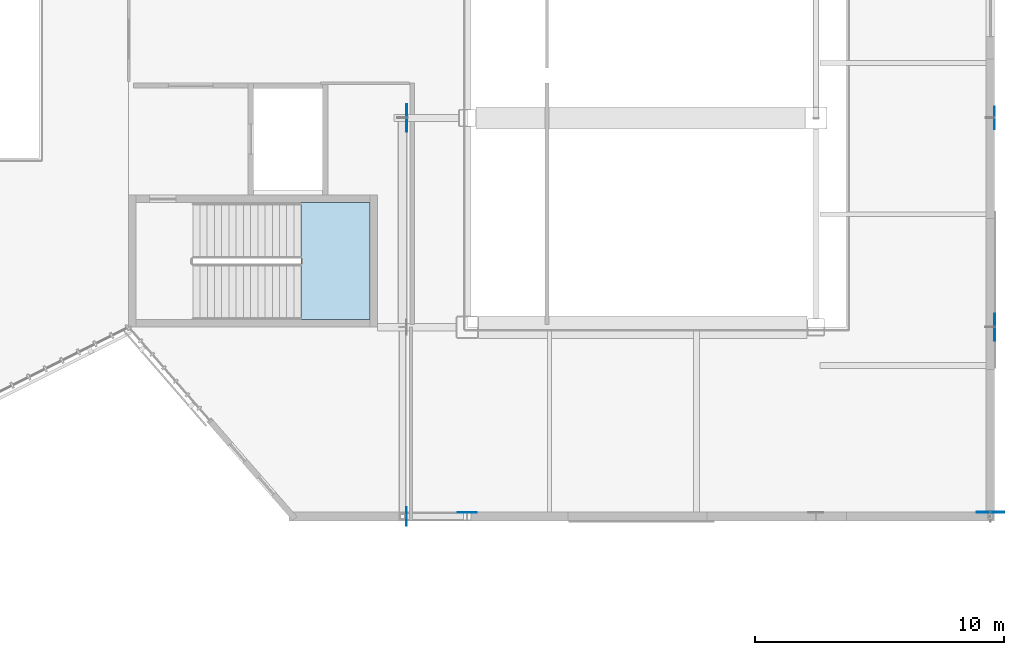
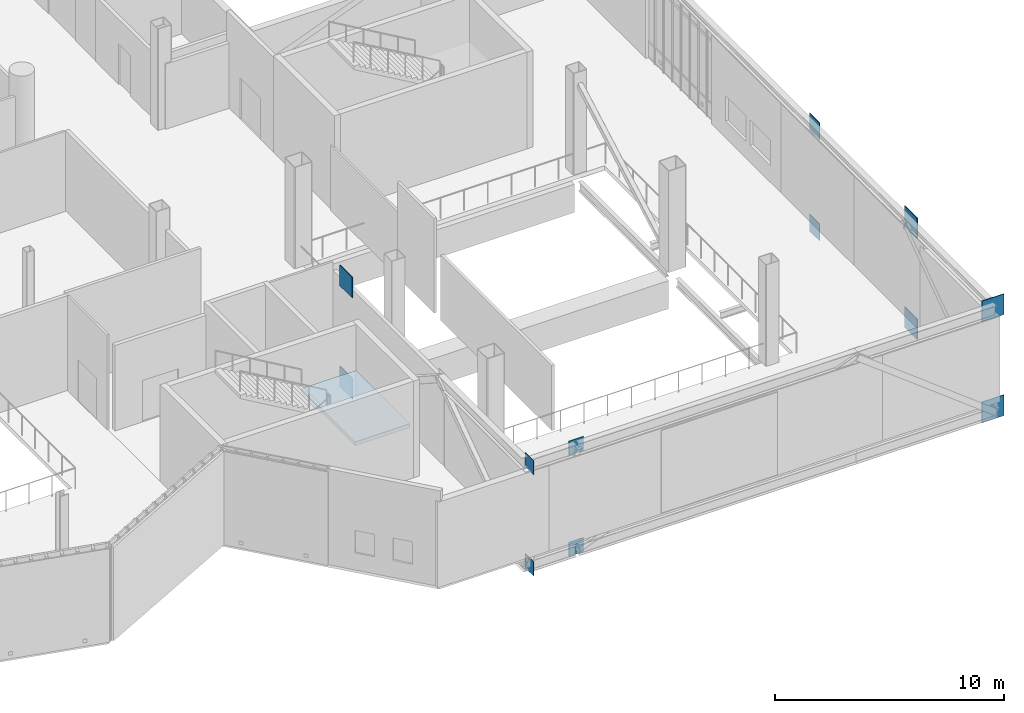
# One storey, part 74 of 127: 12 plates, 1 slab, 1 element without a shape of its own.
"""IFC4 building model written with IfcOpenShell, lengths in metres."""

from ifc_helpers import new_model, si_unit, direction, frame, origin, origin_2d, place, context, subcontext, project, spatial, polyline, rectangle, outline, extrude, material, layer, layer_set, type_object, element, aggregate, save


model = new_model("IFC4")

# Units and contexts
model_context = context("Model", 3, precision=1e-05, world=origin(), true_north=direction((0.0, 1.0)))
body_context = subcontext(model_context, "Body", "Model", "MODEL_VIEW")
ifc_project = project(units=[si_unit("LENGTHUNIT", "METRE"), si_unit("AREAUNIT", "SQUARE_METRE"), si_unit("VOLUMEUNIT", "CUBIC_METRE"), si_unit("PLANEANGLEUNIT", "RADIAN"), si_unit("MASSUNIT", "GRAM", prefix="KILO")], contexts=[model_context])

# Site, building, storey
site_placement = place(None, origin())
site = spatial("IfcSite", under=ifc_project, at=site_placement, CompositionType="ELEMENT")
building_placement = place(site_placement, origin())
building = spatial("IfcBuilding", under=site, at=building_placement, Name="Larkvane Passage Sports Hall", CompositionType="ELEMENT")
storey_placement = place(building_placement, frame((0.0, 0.0, 5.39990234375)))
storey = spatial("IfcBuildingStorey", under=building, at=storey_placement, Name="L01", CompositionType="ELEMENT", Elevation=5.39990234375)

# Plates
ifc_material_1 = material(Name="Steel S460N", Category="steel")
ifc_layer_1 = layer(ifc_material_1, 0.02392578125)
ifc_layer_set_1 = layer_set([ifc_layer_1], Name="Steel S460N")
plate_type_1 = type_object("IfcPlateType", Name="PLT-GUS-24", PredefinedType="USERDEFINED", material=ifc_layer_set_1)
for number, where, z_axis, x_axis, name in (
    (1, (131.60009765625, 15.362060546875, -0.89892578125), (0.0, 0.0, 1.0), (1.0, 0.0, 0.0), "Truss node gusset plate ND-1B (CT-E1A-1)"),
    (2, (131.60009765625, 15.362060546875, 4.481201171875), (0.0, 0.0, 1.0), (1.0, 0.0, 0.0), "Truss node gusset plate ND-1T (CT-E1A-1)"),
    (3, (129.162109375, 15.199951171875, -0.89892578125), (0.0, 0.0, 1.0), (0.0, 1.0, 0.0), "Truss node gusset plate ND-1B (CT-S1A-1)"),
    (4, (129.162109375, 15.199951171875, 4.481201171875), (0.0, 0.0, 1.0), (0.0, 1.0, 0.0), "Truss node gusset plate ND-1T (CT-S1A-1)"),
):
    element("IfcPlate", number, at=place(storey_placement, frame(where, z_axis=z_axis, x_axis=x_axis)), inside=storey, type_object=plate_type_1, Name=name, ObjectType="GUSSET PLATE", PredefinedType="USERDEFINED", context=body_context, shape_type="SweptSolid", body=[
        extrude(rectangle(XDim=0.75, YDim=0.02392578125, at=origin_2d()), origin(), (0.0, 0.0, 1.0), 0.75),
    ])
ifc_layer_2 = layer(ifc_material_1, 0.031982421875)
ifc_layer_set_2 = layer_set([ifc_layer_2], Name="Steel S460N")
plate_type_2 = type_object("IfcPlateType", Name="PLT-GUS-32", PredefinedType="USERDEFINED", material=ifc_layer_set_2)
for number, where, z_axis, x_axis, name in (
    (5, (152.76611328125, 31.199951171875, -0.973876953125), (0.0, 0.0, 1.0), (0.0, 1.0, 0.0), "Truss node gusset plate ND-3B (CT-S1A-2)"),
    (6, (152.76611328125, 31.199951171875, 4.40625), (0.0, 0.0, 1.0), (0.0, 1.0, 0.0), "Truss node gusset plate ND-3T (CT-S1A-2)"),
):
    element("IfcPlate", number, at=place(storey_placement, frame(where, z_axis=z_axis, x_axis=x_axis)), inside=storey, type_object=plate_type_2, Name=name, ObjectType="GUSSET PLATE", PredefinedType="USERDEFINED", context=body_context, shape_type="SweptSolid", body=[
        extrude(rectangle(XDim=0.89990234375, YDim=0.031982421875, at=origin_2d()), origin(), (0.0, 0.0, 1.0), 0.89990234375),
    ])
ifc_layer_3 = layer(ifc_material_1, 0.0400390625)
ifc_layer_set_3 = layer_set([ifc_layer_3], Name="Steel S460N")
plate_type_3 = type_object("IfcPlateType", Name="PLT-GUS-40", PredefinedType="USERDEFINED", material=ifc_layer_set_3)
for number, where, z_axis, x_axis, name in (
    (7, (152.60009765625, 15.3701171875, -1.073974609375), (0.0, 0.0, 1.0), (1.0, 0.0, 0.0), "Truss node gusset plate ND-3B (CT-E1A-1)"),
    (8, (152.60009765625, 15.3701171875, 4.30615234375), (0.0, 0.0, 1.0), (1.0, 0.0, 0.0), "Truss node gusset plate ND-3T (CT-E1A-1)"),
    (9, (129.169921875, 31.199951171875, -1.073974609375), (0.0, 0.0, 1.0), (0.0, 1.0, 0.0), "Truss node gusset plate ND-3B (CT-S1A-1)"),
    (10, (129.169921875, 31.199951171875, 4.30615234375), (0.0, 0.0, 1.0), (0.0, 1.0, 0.0), "Truss node gusset plate ND-3T (CT-S1A-1)"),
    (11, (152.77001953125, 22.800048828125, -1.073974609375), (0.0, 0.0, 1.0), (0.0, 1.0, 0.0), "Truss node gusset plate ND-2B (CT-S1A-2)"),
    (12, (152.77001953125, 22.800048828125, 4.30615234375), (0.0, 0.0, 1.0), (0.0, 1.0, 0.0), "Truss node gusset plate ND-2T (CT-S1A-2)"),
):
    element("IfcPlate", number, at=place(storey_placement, frame(where, z_axis=z_axis, x_axis=x_axis)), inside=storey, type_object=plate_type_3, Name=name, ObjectType="GUSSET PLATE", PredefinedType="USERDEFINED", context=body_context, shape_type="SweptSolid", body=[
        extrude(rectangle(XDim=1.10009765625, YDim=0.0400390625, at=origin_2d()), origin(), (0.0, 0.0, 1.0), 1.10009765625),
    ])

# Stair, slab
ifc_material_2 = material(Name="Concrete C40/50", Category="concrete")
stair_type = type_object("IfcStairType", Name="STR-CORE-2250", PredefinedType="HALF_TURN_STAIR", material=ifc_material_2)
stair_placement = place(storey_placement, origin())
stair = element("IfcStair", 13, at=stair_placement, inside=storey, type_object=stair_type, Name="L01 Protected exit stair ST-05", PredefinedType="HALF_TURN_STAIR")
ifc_layer_4 = layer(ifc_material_2, 0.199951171875)
ifc_layer_set_4 = layer_set([ifc_layer_4], Name="Concrete C40/50")
slab_type = type_object("IfcSlabType", Name="SLB-LAND-200", PredefinedType="LANDING", material=ifc_layer_set_4)
slab_placement = place(storey_placement, frame((0.0, 0.0, 2.5)))
slab = element("IfcSlab", 14, at=slab_placement, type_object=slab_type, Name="ST-05 landing 1", PredefinedType="LANDING", context=body_context, shape_type="SweptSolid", body=[
    extrude(outline(polyline([(124.929931640625, 23.10009765625), (127.699951171875, 23.10009765625), (127.699951171875, 27.800048828125), (124.929931640625, 27.800048828125), (124.929931640625, 23.10009765625)])), origin(), (0.0, 0.0, 1.0), 0.2001953125),
])
aggregate(stair, [slab])

save(model, "model.ifc")
